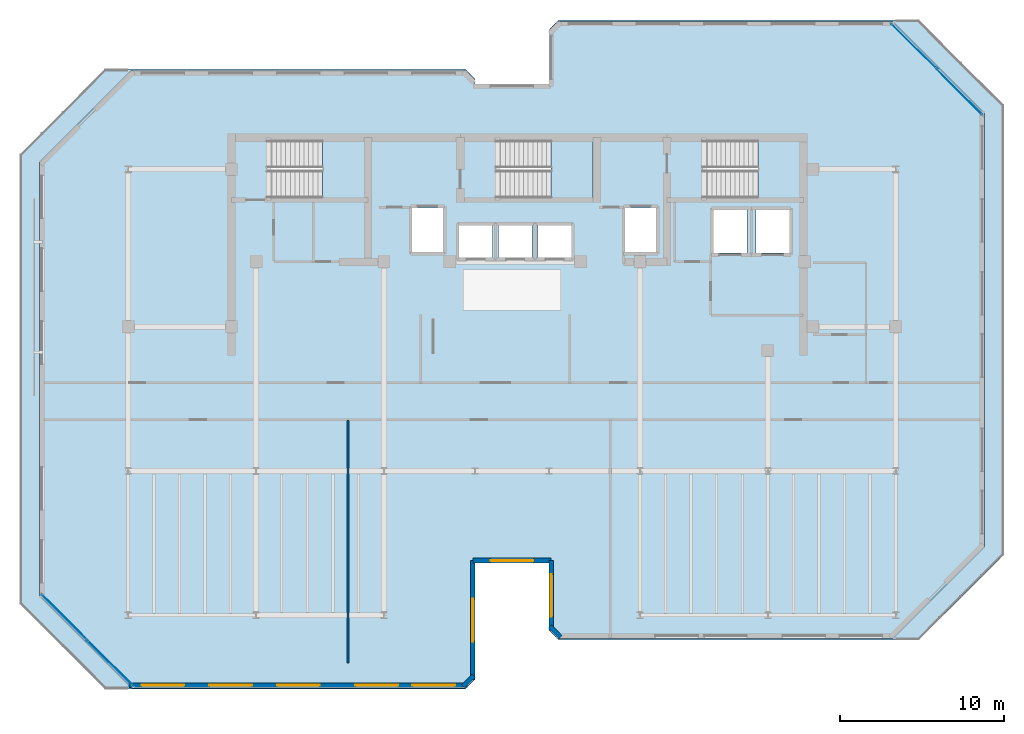
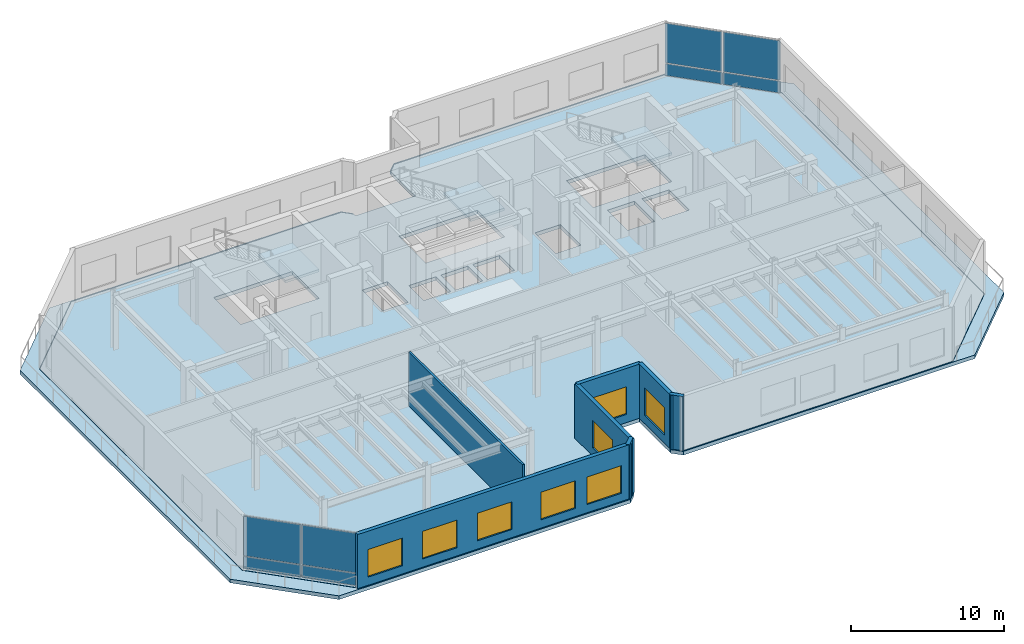
# One storey, part 5 of 12: 8 plates, 8 windows, 7 walls, 6 slabs, 8 openings, 5 elements without a shape of their own.
"""IFC4 building model written with IfcOpenShell, lengths in metres."""

from ifc_helpers import new_model, si_unit, direction, frame, frame_2d, origin, origin_2d, place, context, subcontext, project, spatial, polyline, rectangle, outline, extrude, material, layer, layer_set, type_object, element, fill, aggregate, save


model = new_model("IFC4")

# Units and contexts
model_context = context("Model", 3, precision=1e-05, world=origin(), true_north=direction((0.0, 1.0)))
body_context = subcontext(model_context, "Body", "Model", "MODEL_VIEW")
ifc_project = project(units=[si_unit("LENGTHUNIT", "METRE"), si_unit("AREAUNIT", "SQUARE_METRE"), si_unit("VOLUMEUNIT", "CUBIC_METRE"), si_unit("PLANEANGLEUNIT", "RADIAN"), si_unit("MASSUNIT", "GRAM", prefix="KILO")], contexts=[model_context])

# Site, building, storey
site_placement = place(None, origin())
site = spatial("IfcSite", under=ifc_project, at=site_placement, CompositionType="ELEMENT")
building_placement = place(site_placement, origin())
building = spatial("IfcBuilding", under=site, at=building_placement, Name="Kestravale Grand Hotel", CompositionType="ELEMENT")
storey_placement = place(building_placement, frame((0.0, 0.0, 302.0)))
storey = spatial("IfcBuildingStorey", under=building, at=storey_placement, Name="L75", CompositionType="ELEMENT", Elevation=302.0)

# Curtain wall, plates
ifc_material_1 = material(Name="Thermally broken champagne-bronze aluminium and low-E glazing", Category="aluminium")
ifc_layer_1 = layer(ifc_material_1, 0.239990234375)
ifc_layer_set_1 = layer_set([ifc_layer_1], Name="CW-OBS")
curtain_wall_type = type_object("IfcCurtainWallType", Name="CW-OBS", PredefinedType="NOTDEFINED", material=ifc_layer_set_1)
curtain_wall_1_placement = place(storey_placement, origin())
curtain_wall_1 = element("IfcCurtainWall", 1, at=curtain_wall_1_placement, inside=storey, type_object=curtain_wall_type, Name="L75 unitised curtain wall 10", PredefinedType="NOTDEFINED")
ifc_material_2 = material(Name="Insulated clear low-E double glazing IGU", Category="glass")
ifc_layer_2 = layer(ifc_material_2, 0.0400390625)
ifc_layer_set_2 = layer_set([ifc_layer_2], Name="CW-PNL-40")
plate_type = type_object("IfcPlateType", Name="CW-PNL-40", PredefinedType="CURTAIN_PANEL", material=ifc_layer_set_2)
plate_1_placement = place(storey_placement, frame((66.29296875, 43.10888671875, 0.074951171875), z_axis=(0.0, 0.0, 1.0), x_axis=(-0.707106781187, 0.707106781187, 0.0)))
plate_1 = element("IfcPlate", 2, at=plate_1_placement, type_object=plate_type, Name="CW-OBS panel 1.1", PredefinedType="CURTAIN_PANEL", context=body_context, shape_type="SweptSolid", body=[
    extrude(rectangle(XDim=3.852294921875, YDim=0.0400390625, at=origin_2d()), origin(), (0.0, 0.0, 1.0), 0.9375),
])
plate_2_placement = place(storey_placement, frame((66.29296875, 43.10888671875, 1.08740234375), z_axis=(0.0, 0.0, 1.0), x_axis=(-0.707106781187, 0.707106781187, 0.0)))
plate_2 = element("IfcPlate", 3, at=plate_2_placement, type_object=plate_type, Name="CW-OBS panel 1.2", PredefinedType="CURTAIN_PANEL", context=body_context, shape_type="SweptSolid", body=[
    extrude(rectangle(XDim=3.852294921875, YDim=0.0400390625, at=origin_2d()), origin(), (0.0, 0.0, 1.0), 3.1474609375),
])
plate_3_placement = place(storey_placement, frame((63.509033203125, 45.89306640625, 0.074951171875), z_axis=(0.0, 0.0, 1.0), x_axis=(-0.707106781187, 0.707106781187, 0.0)))
plate_3 = element("IfcPlate", 4, at=plate_3_placement, type_object=plate_type, Name="CW-OBS panel 2.1", PredefinedType="CURTAIN_PANEL", context=body_context, shape_type="SweptSolid", body=[
    extrude(rectangle(XDim=3.852294921875, YDim=0.0400390625, at=origin_2d()), origin(), (0.0, 0.0, 1.0), 0.9375),
])
plate_4_placement = place(storey_placement, frame((63.509033203125, 45.89306640625, 1.08740234375), z_axis=(0.0, 0.0, 1.0), x_axis=(-0.707106781187, 0.707106781187, 0.0)))
plate_4 = element("IfcPlate", 5, at=plate_4_placement, type_object=plate_type, Name="CW-OBS panel 2.2", PredefinedType="CURTAIN_PANEL", context=body_context, shape_type="SweptSolid", body=[
    extrude(rectangle(XDim=3.852294921875, YDim=0.0400390625, at=origin_2d()), origin(), (0.0, 0.0, 1.0), 3.1474609375),
])
aggregate(curtain_wall_1, [plate_1, plate_2, plate_3, plate_4])

curtain_wall_2_placement = place(storey_placement, origin())
curtain_wall_2 = element("IfcCurtainWall", 6, at=curtain_wall_2_placement, inside=storey, type_object=curtain_wall_type, Name="L75 unitised curtain wall 20", PredefinedType="NOTDEFINED")
plate_5_placement = place(storey_placement, frame((11.70703125, 11.091064453125, 0.074951171875), z_axis=(0.0, 0.0, 1.0), x_axis=(0.707106781187, -0.707106781187, 0.0)))
plate_5 = element("IfcPlate", 7, at=plate_5_placement, type_object=plate_type, Name="CW-OBS panel 1.1", PredefinedType="CURTAIN_PANEL", context=body_context, shape_type="SweptSolid", body=[
    extrude(rectangle(XDim=3.852294921875, YDim=0.0400390625, at=origin_2d()), origin(), (0.0, 0.0, 1.0), 0.9375),
])
plate_6_placement = place(storey_placement, frame((11.70703125, 11.091064453125, 1.08740234375), z_axis=(0.0, 0.0, 1.0), x_axis=(0.707106781187, -0.707106781187, 0.0)))
plate_6 = element("IfcPlate", 8, at=plate_6_placement, type_object=plate_type, Name="CW-OBS panel 1.2", PredefinedType="CURTAIN_PANEL", context=body_context, shape_type="SweptSolid", body=[
    extrude(rectangle(XDim=3.852294921875, YDim=0.0400390625, at=origin_2d()), origin(), (0.0, 0.0, 1.0), 3.1474609375),
])
plate_7_placement = place(storey_placement, frame((14.490966796875, 8.306884765625, 0.074951171875), z_axis=(0.0, 0.0, 1.0), x_axis=(0.707106781187, -0.707106781187, 0.0)))
plate_7 = element("IfcPlate", 9, at=plate_7_placement, type_object=plate_type, Name="CW-OBS panel 2.1", PredefinedType="CURTAIN_PANEL", context=body_context, shape_type="SweptSolid", body=[
    extrude(rectangle(XDim=3.852294921875, YDim=0.0400390625, at=origin_2d()), origin(), (0.0, 0.0, 1.0), 0.9375),
])
plate_8_placement = place(storey_placement, frame((14.490966796875, 8.306884765625, 1.08740234375), z_axis=(0.0, 0.0, 1.0), x_axis=(0.707106781187, -0.707106781187, 0.0)))
plate_8 = element("IfcPlate", 10, at=plate_8_placement, type_object=plate_type, Name="CW-OBS panel 2.2", PredefinedType="CURTAIN_PANEL", context=body_context, shape_type="SweptSolid", body=[
    extrude(rectangle(XDim=3.852294921875, YDim=0.0400390625, at=origin_2d()), origin(), (0.0, 0.0, 1.0), 3.1474609375),
])
aggregate(curtain_wall_2, [plate_5, plate_6, plate_7, plate_8])

# Slabs
ifc_material_3 = material(Name="Concrete f'c 45 MPa", Category="concrete")
ifc_layer_3 = layer(ifc_material_3, 0.2900390625)
ifc_layer_set_3 = layer_set([ifc_layer_3], Name="ES-TERR-290")
slab_type_1 = type_object("IfcSlabType", Name="ES-TERR-290", PredefinedType="ROOF", material=ifc_layer_set_3)
slab_1_placement = place(storey_placement, frame((0.0, 0.0, -0.2900390625)))
element("IfcSlab", 11, at=slab_1_placement, inside=storey, type_object=slab_type_1, Name="L75 setback terrace 1", PredefinedType="ROOF", context=body_context, shape_type="SweptSolid", body=[
    extrude(outline(polyline([(41.25, 46.89990234375), (41.85009765625, 47.5), (63.800048828125, 47.5), (69.0, 42.300048828125), (69.0, 14.89990234375), (63.800048828125, 9.699951171875), (41.85009765625, 9.699951171875), (41.25, 10.300048828125), (41.25, 10.37158203125), (41.8359375, 9.785888671875), (41.83740234375, 9.784423828125), (41.8388671875, 9.783447265625), (41.840576171875, 9.782470703125), (41.84228515625, 9.781494140625), (41.84423828125, 9.781005859375), (41.84619140625, 9.780517578125), (41.847900390625, 9.780029296875), (41.85009765625, 9.780029296875), (62.199951171875, 9.780029296875), (62.201904296875, 9.780029296875), (62.203857421875, 9.780517578125), (62.205810546875, 9.781005859375), (62.207763671875, 9.781494140625), (62.20947265625, 9.782470703125), (62.211181640625, 9.783447265625), (62.212646484375, 9.784423828125), (62.214111328125, 9.785888671875), (67.814208984375, 15.385986328125), (67.8154296875, 15.38720703125), (67.816650390625, 15.388916015625), (67.817626953125, 15.390625), (67.818603515625, 15.392333984375), (67.819091796875, 15.394287109375), (67.819580078125, 15.39599609375), (67.81982421875, 15.39794921875), (67.820068359375, 15.39990234375), (67.820068359375, 41.800048828125), (67.81982421875, 41.802001953125), (67.819580078125, 41.803955078125), (67.819091796875, 41.805908203125), (67.818603515625, 41.8076171875), (67.817626953125, 41.809326171875), (67.816650390625, 41.81103515625), (67.8154296875, 41.812744140625), (67.814208984375, 41.814208984375), (62.214111328125, 47.4140625), (62.212646484375, 47.41552734375), (62.211181640625, 47.41650390625), (62.20947265625, 47.41748046875), (62.207763671875, 47.41845703125), (62.205810546875, 47.419189453125), (62.203857421875, 47.419677734375), (62.201904296875, 47.419921875), (62.199951171875, 47.419921875), (41.85009765625, 47.419921875), (41.847900390625, 47.419921875), (41.84619140625, 47.419677734375), (41.84423828125, 47.419189453125), (41.84228515625, 47.41845703125), (41.840576171875, 47.41748046875), (41.8388671875, 47.41650390625), (41.83740234375, 47.41552734375), (41.8359375, 47.4140625), (41.25, 46.828369140625), (41.25, 46.89990234375)])), origin(), (0.0, 0.0, 1.0), 0.2900390625),
])
slab_2_placement = place(storey_placement, frame((0.0, 0.0, -0.2900390625)))
element("IfcSlab", 12, at=slab_2_placement, inside=storey, type_object=slab_type_1, Name="L75 setback terrace 2", PredefinedType="ROOF", context=body_context, shape_type="SweptSolid", body=[
    extrude(outline(polyline([(36.75, 7.300048828125), (36.14990234375, 6.699951171875), (14.199951171875, 6.699951171875), (9.0, 11.89990234375), (9.0, 39.300048828125), (14.199951171875, 44.5), (36.14990234375, 44.5), (36.75, 43.89990234375), (36.75, 43.828369140625), (36.1640625, 44.4140625), (36.16259765625, 44.41552734375), (36.1611328125, 44.41650390625), (36.159423828125, 44.41748046875), (36.15771484375, 44.41845703125), (36.15576171875, 44.419189453125), (36.15380859375, 44.419677734375), (36.152099609375, 44.419921875), (36.14990234375, 44.419921875), (15.800048828125, 44.419921875), (15.798095703125, 44.419921875), (15.796142578125, 44.419677734375), (15.794189453125, 44.419189453125), (15.792236328125, 44.41845703125), (15.79052734375, 44.41748046875), (15.788818359375, 44.41650390625), (15.787353515625, 44.41552734375), (15.785888671875, 44.4140625), (10.185791015625, 38.814208984375), (10.1845703125, 38.812744140625), (10.183349609375, 38.81103515625), (10.182373046875, 38.809326171875), (10.181396484375, 38.8076171875), (10.180908203125, 38.805908203125), (10.180419921875, 38.803955078125), (10.18017578125, 38.802001953125), (10.179931640625, 38.800048828125), (10.179931640625, 12.39990234375), (10.18017578125, 12.39794921875), (10.180419921875, 12.39599609375), (10.180908203125, 12.394287109375), (10.181396484375, 12.392333984375), (10.182373046875, 12.390625), (10.183349609375, 12.388916015625), (10.1845703125, 12.38720703125), (10.185791015625, 12.385986328125), (15.785888671875, 6.785888671875), (15.787353515625, 6.784423828125), (15.788818359375, 6.783447265625), (15.79052734375, 6.782470703125), (15.792236328125, 6.781494140625), (15.794189453125, 6.781005859375), (15.796142578125, 6.780517578125), (15.798095703125, 6.780029296875), (15.800048828125, 6.780029296875), (36.14990234375, 6.780029296875), (36.152099609375, 6.780029296875), (36.15380859375, 6.780517578125), (36.15576171875, 6.781005859375), (36.15771484375, 6.781494140625), (36.159423828125, 6.782470703125), (36.1611328125, 6.783447265625), (36.16259765625, 6.784423828125), (36.1640625, 6.785888671875), (36.75, 7.37158203125), (36.75, 7.300048828125)])), origin(), (0.0, 0.0, 1.0), 0.2900390625),
])

# Stair, slab
ifc_material_4 = material(Name="Concrete f'c 45 MPa", Category="concrete")
stair_type = type_object("IfcStairType", Name="ST-CORE-460", PredefinedType="HALF_TURN_STAIR", material=ifc_material_4)
stair_1_placement = place(storey_placement, origin())
stair_1 = element("IfcStair", 13, at=stair_1_placement, inside=storey, type_object=stair_type, Name="L75 ST-1", PredefinedType="HALF_TURN_STAIR")
ifc_material_5 = material(Name="Concrete f'c 45 MPa", Category="concrete")
ifc_layer_4 = layer(ifc_material_5, 0.199951171875)
ifc_layer_set_4 = layer_set([ifc_layer_4], Name="SLB-ST-LND200")
slab_type_2 = type_object("IfcSlabType", Name="SLB-ST-LND200", PredefinedType="LANDING", material=ifc_layer_set_4)
slab_3_placement = place(storey_placement, frame((0.0, 0.0, 2.10009765625)))
slab_3 = element("IfcSlab", 14, at=slab_3_placement, type_object=slab_type_2, Name="ST-1 landing 1", PredefinedType="LANDING", context=body_context, shape_type="SweptSolid", body=[
    extrude(outline(polyline([(27.43994140625, 36.64990234375), (30.0, 36.64990234375), (30.0, 40.159912109375), (27.43994140625, 40.159912109375), (27.43994140625, 36.64990234375)])), origin(), (0.0, 0.0, 1.0), 0.199951171875),
])
aggregate(stair_1, [slab_3])

stair_2_placement = place(storey_placement, origin())
stair_2 = element("IfcStair", 15, at=stair_2_placement, inside=storey, type_object=stair_type, Name="L75 ST-2", PredefinedType="HALF_TURN_STAIR")
slab_4_placement = place(storey_placement, frame((0.0, 0.0, 2.10009765625)))
slab_4 = element("IfcSlab", 16, at=slab_4_placement, type_object=slab_type_2, Name="ST-2 landing 1", PredefinedType="LANDING", context=body_context, shape_type="SweptSolid", body=[
    extrude(outline(polyline([(41.389892578125, 36.64990234375), (43.949951171875, 36.64990234375), (43.949951171875, 40.159912109375), (41.389892578125, 40.159912109375), (41.389892578125, 36.64990234375)])), origin(), (0.0, 0.0, 1.0), 0.199951171875),
])
aggregate(stair_2, [slab_4])

stair_3_placement = place(storey_placement, origin())
stair_3 = element("IfcStair", 17, at=stair_3_placement, inside=storey, type_object=stair_type, Name="L75 ST-3", PredefinedType="HALF_TURN_STAIR")
slab_5_placement = place(storey_placement, frame((0.0, 0.0, 2.10009765625)))
slab_5 = element("IfcSlab", 18, at=slab_5_placement, type_object=slab_type_2, Name="ST-3 landing 1", PredefinedType="LANDING", context=body_context, shape_type="SweptSolid", body=[
    extrude(outline(polyline([(53.989990234375, 36.64990234375), (56.550048828125, 36.64990234375), (56.550048828125, 40.159912109375), (53.989990234375, 40.159912109375), (53.989990234375, 36.64990234375)])), origin(), (0.0, 0.0, 1.0), 0.199951171875),
])
aggregate(stair_3, [slab_5])

# Slab
ifc_material_6 = material(Name="Concrete f'c 45 MPa", Category="concrete")
ifc_layer_5 = layer(ifc_material_6, 0.2900390625)
ifc_layer_set_5 = layer_set([ifc_layer_5], Name="SS-FLR-290")
slab_type_3 = type_object("IfcSlabType", Name="SS-FLR-290", PredefinedType="FLOOR", material=ifc_layer_set_5)
slab_6_placement = place(storey_placement, frame((0.0, 0.0, -0.2900390625)))
element("IfcSlab", 19, at=slab_6_placement, inside=storey, type_object=slab_type_3, Name="L75 structural floor slab", PredefinedType="FLOOR", context=body_context, shape_type="SweptSolid", body=[
    extrude(outline(polyline([(15.800048828125, 6.800048828125), (36.14990234375, 6.800048828125), (36.75, 7.39990234375), (36.75, 14.39990234375), (41.25, 14.39990234375), (41.25, 10.39990234375), (41.85009765625, 9.800048828125), (62.199951171875, 9.800048828125), (67.800048828125, 15.39990234375), (67.800048828125, 41.800048828125), (62.199951171875, 47.39990234375), (41.85009765625, 47.39990234375), (41.25, 46.800048828125), (41.25, 43.60009765625), (36.75, 43.60009765625), (36.75, 43.800048828125), (36.14990234375, 44.39990234375), (15.800048828125, 44.39990234375), (10.199951171875, 38.800048828125), (10.199951171875, 12.39990234375), (15.800048828125, 6.800048828125)]), holes=[polyline([(24.080078125, 36.64990234375), (30.0, 36.64990234375), (30.0, 40.159912109375), (24.080078125, 40.159912109375), (24.080078125, 36.64990234375)]), polyline([(38.030029296875, 36.64990234375), (43.949951171875, 36.64990234375), (43.949951171875, 40.159912109375), (38.030029296875, 40.159912109375), (38.030029296875, 36.64990234375)]), polyline([(50.6298828125, 36.64990234375), (56.550048828125, 36.64990234375), (56.550048828125, 40.159912109375), (50.6298828125, 40.159912109375), (50.6298828125, 36.64990234375)]), polyline([(35.780029296875, 33.030029296875), (37.820068359375, 33.030029296875), (37.820068359375, 34.969970703125), (35.780029296875, 34.969970703125), (35.780029296875, 33.030029296875)]), polyline([(38.179931640625, 33.030029296875), (40.219970703125, 33.030029296875), (40.219970703125, 34.969970703125), (38.179931640625, 34.969970703125), (38.179931640625, 33.030029296875)]), polyline([(40.580078125, 33.030029296875), (42.6201171875, 33.030029296875), (42.6201171875, 34.969970703125), (40.580078125, 34.969970703125), (40.580078125, 33.030029296875)]), polyline([(32.905029296875, 33.35498046875), (34.794921875, 33.35498046875), (34.794921875, 36.044921875), (32.905029296875, 36.044921875), (32.905029296875, 33.35498046875)]), polyline([(45.905029296875, 33.35498046875), (47.794921875, 33.35498046875), (47.794921875, 36.044921875), (45.905029296875, 36.044921875), (45.905029296875, 33.35498046875)]), polyline([(51.280029296875, 33.280029296875), (53.320068359375, 33.280029296875), (53.320068359375, 35.919921875), (51.280029296875, 35.919921875), (51.280029296875, 33.280029296875)]), polyline([(53.8798828125, 33.280029296875), (55.919921875, 33.280029296875), (55.919921875, 35.919921875), (53.8798828125, 35.919921875), (53.8798828125, 33.280029296875)])]), origin(), (0.0, 0.0, 1.0), 0.2900390625),
])

# Wall, openings, windows
ifc_material_7 = material(Name="Precast concrete f'c 45 MPa", Category="concrete")
ifc_layer_6 = layer(ifc_material_7, 0.280029296875)
ifc_layer_set_6 = layer_set([ifc_layer_6], Name="EW-PREC-280")
wall_type_1 = type_object("IfcWallType", Name="EW-PREC-280", PredefinedType="SOLIDWALL", material=ifc_layer_set_6)
wall_1_placement = place(storey_placement, frame((15.659912109375, 6.93994140625, 0.0), z_axis=(0.0, 0.0, 1.0), x_axis=(1.0, 0.0, 0.0)))
wall_1 = element("IfcWall", 20, at=wall_1_placement, inside=storey, type_object=wall_type_1, Name="L75 fluted precast facade wall 1", PredefinedType="SOLIDWALL", context=body_context, shape_type="SweptSolid", body=[
    extrude(rectangle(XDim=20.630126953125, YDim=0.280029296875, at=frame_2d((10.31494140625, 0.0))), origin(), (0.0, 0.0, 1.0), 4.31005859375),
])
opening_1_placement = place(wall_1_placement, frame((0.762939453125, 0.0, 0.64990234375)))
opening_1 = element("IfcOpeningElement", 21, at=opening_1_placement, cuts=wall_1, Name="Opening W-SKY-2600", PredefinedType="OPENING", context=body_context, shape_type="SweptSolid", body=[
    extrude(rectangle(XDim=2.60009765625, YDim=2.199951171875, at=frame_2d((1.300048828125, 1.10009765625))), frame((0.0, 0.14990234375, 0.0), z_axis=(0.0, -1.0, 0.0), x_axis=(1.0, 0.0, 0.0)), (0.0, 0.0, 1.0), 0.300048828125),
])
opening_2_placement = place(wall_1_placement, frame((4.888916015625, 0.0, 0.64990234375)))
opening_2 = element("IfcOpeningElement", 22, at=opening_2_placement, cuts=wall_1, Name="Opening W-SKY-2600", PredefinedType="OPENING", context=body_context, shape_type="SweptSolid", body=[
    extrude(rectangle(XDim=2.60009765625, YDim=2.199951171875, at=frame_2d((1.300048828125, 1.10009765625))), frame((0.0, 0.14990234375, 0.0), z_axis=(0.0, -1.0, 0.0), x_axis=(1.0, 0.0, 0.0)), (0.0, 0.0, 1.0), 0.300048828125),
])
opening_3_placement = place(wall_1_placement, frame((9.014892578125, 0.0, 0.64990234375)))
opening_3 = element("IfcOpeningElement", 23, at=opening_3_placement, cuts=wall_1, Name="Opening W-SKY-2600", PredefinedType="OPENING", context=body_context, shape_type="SweptSolid", body=[
    extrude(rectangle(XDim=2.60009765625, YDim=2.199951171875, at=frame_2d((1.300048828125, 1.10009765625))), frame((0.0, 0.14990234375, 0.0), z_axis=(0.0, -1.0, 0.0), x_axis=(1.0, 0.0, 0.0)), (0.0, 0.0, 1.0), 0.300048828125),
])
opening_4_placement = place(wall_1_placement, frame((13.791015625, 0.0, 0.64990234375)))
opening_4 = element("IfcOpeningElement", 24, at=opening_4_placement, cuts=wall_1, Name="Opening W-SKY-2600", PredefinedType="OPENING", context=body_context, shape_type="SweptSolid", body=[
    extrude(rectangle(XDim=2.60009765625, YDim=2.199951171875, at=frame_2d((1.300048828125, 1.10009765625))), frame((0.0, 0.14990234375, 0.0), z_axis=(0.0, -1.0, 0.0), x_axis=(1.0, 0.0, 0.0)), (0.0, 0.0, 1.0), 0.300048828125),
])
opening_5_placement = place(wall_1_placement, frame((17.26708984375, 0.0, 0.64990234375)))
opening_5 = element("IfcOpeningElement", 25, at=opening_5_placement, cuts=wall_1, Name="Opening W-SKY-2600", PredefinedType="OPENING", context=body_context, shape_type="SweptSolid", body=[
    extrude(rectangle(XDim=2.60009765625, YDim=2.199951171875, at=frame_2d((1.300048828125, 1.10009765625))), frame((0.0, 0.14990234375, 0.0), z_axis=(0.0, -1.0, 0.0), x_axis=(1.0, 0.0, 0.0)), (0.0, 0.0, 1.0), 0.300048828125),
])
ifc_material_8 = material(Name="Insulated low-E double glazing in aluminium frame", Category="aluminium")
window_type = type_object("IfcWindowType", Name="W-SKY-2600", PartitioningType="TRIPLE_PANEL_VERTICAL", PredefinedType="WINDOW", material=ifc_material_8)
window_1_placement = place(opening_1_placement, origin())
window_1 = element("IfcWindow", 26, at=window_1_placement, inside=storey, type_object=window_type, Name="L75 exterior window 1.1", OverallHeight=2.199951171875, OverallWidth=2.60009765625, PartitioningType="SINGLE_PANEL", PredefinedType="WINDOW", context=body_context, shape_type="SweptSolid", body=[
    extrude(rectangle(XDim=2.60009765625, YDim=2.199951171875, at=frame_2d((1.300048828125, 1.10009765625))), frame((0.0, 0.030029296875, 0.0), z_axis=(0.0, -1.0, 0.0), x_axis=(1.0, 0.0, 0.0)), (0.0, 0.0, 1.0), 0.06005859375),
])
fill(opening_1, window_1)
window_2_placement = place(opening_2_placement, origin())
window_2 = element("IfcWindow", 27, at=window_2_placement, inside=storey, type_object=window_type, Name="L75 exterior window 1.2", OverallHeight=2.199951171875, OverallWidth=2.60009765625, PartitioningType="SINGLE_PANEL", PredefinedType="WINDOW", context=body_context, shape_type="SweptSolid", body=[
    extrude(rectangle(XDim=2.60009765625, YDim=2.199951171875, at=frame_2d((1.300048828125, 1.10009765625))), frame((0.0, 0.030029296875, 0.0), z_axis=(0.0, -1.0, 0.0), x_axis=(1.0, 0.0, 0.0)), (0.0, 0.0, 1.0), 0.06005859375),
])
fill(opening_2, window_2)
window_3_placement = place(opening_3_placement, origin())
window_3 = element("IfcWindow", 28, at=window_3_placement, inside=storey, type_object=window_type, Name="L75 exterior window 1.3", OverallHeight=2.199951171875, OverallWidth=2.60009765625, PartitioningType="SINGLE_PANEL", PredefinedType="WINDOW", context=body_context, shape_type="SweptSolid", body=[
    extrude(rectangle(XDim=2.60009765625, YDim=2.199951171875, at=frame_2d((1.300048828125, 1.10009765625))), frame((0.0, 0.030029296875, 0.0), z_axis=(0.0, -1.0, 0.0), x_axis=(1.0, 0.0, 0.0)), (0.0, 0.0, 1.0), 0.06005859375),
])
fill(opening_3, window_3)
window_4_placement = place(opening_4_placement, origin())
window_4 = element("IfcWindow", 29, at=window_4_placement, inside=storey, type_object=window_type, Name="L75 exterior window 1.4", OverallHeight=2.199951171875, OverallWidth=2.60009765625, PartitioningType="SINGLE_PANEL", PredefinedType="WINDOW", context=body_context, shape_type="SweptSolid", body=[
    extrude(rectangle(XDim=2.60009765625, YDim=2.199951171875, at=frame_2d((1.300048828125, 1.10009765625))), frame((0.0, 0.030029296875, 0.0), z_axis=(0.0, -1.0, 0.0), x_axis=(1.0, 0.0, 0.0)), (0.0, 0.0, 1.0), 0.06005859375),
])
fill(opening_4, window_4)
window_5_placement = place(opening_5_placement, origin())
window_5 = element("IfcWindow", 30, at=window_5_placement, inside=storey, type_object=window_type, Name="L75 exterior window 1.5", OverallHeight=2.199951171875, OverallWidth=2.60009765625, PartitioningType="SINGLE_PANEL", PredefinedType="WINDOW", context=body_context, shape_type="SweptSolid", body=[
    extrude(rectangle(XDim=2.60009765625, YDim=2.199951171875, at=frame_2d((1.300048828125, 1.10009765625))), frame((0.0, 0.030029296875, 0.0), z_axis=(0.0, -1.0, 0.0), x_axis=(1.0, 0.0, 0.0)), (0.0, 0.0, 1.0), 0.06005859375),
])
fill(opening_5, window_5)

# Wall
wall_2_placement = place(storey_placement, frame((36.022705078125, 6.87060546875, 0.0), z_axis=(0.0, 0.0, 1.0), x_axis=(0.706975312048, 0.707238225886, 0.0)))
element("IfcWall", 31, at=wall_2_placement, inside=storey, type_object=wall_type_1, Name="L75 fluted precast facade wall 2", PredefinedType="SOLIDWALL", context=body_context, shape_type="SweptSolid", body=[
    extrude(rectangle(XDim=0.9287109375, YDim=0.280029296875, at=frame_2d((0.46435546875, 0.0))), origin(), (0.0, 0.0, 1.0), 4.31005859375),
])

# Wall, opening, window
wall_3_placement = place(storey_placement, frame((36.610107421875, 7.260009765625, 0.0), z_axis=(0.0, 0.0, 1.0), x_axis=(0.0, 1.0, 0.0)))
wall_3 = element("IfcWall", 32, at=wall_3_placement, inside=storey, type_object=wall_type_1, Name="L75 fluted precast facade wall 3", PredefinedType="SOLIDWALL", context=body_context, shape_type="SweptSolid", body=[
    extrude(rectangle(XDim=7.280029296875, YDim=0.280029296875, at=frame_2d((3.64013671875, 0.0))), origin(), (0.0, 0.0, 1.0), 4.31005859375),
])
opening_6_placement = place(wall_3_placement, frame((2.340087890625, 0.0, 0.64990234375)))
opening_6 = element("IfcOpeningElement", 33, at=opening_6_placement, cuts=wall_3, Name="Opening W-SKY-2600", PredefinedType="OPENING", context=body_context, shape_type="SweptSolid", body=[
    extrude(rectangle(XDim=2.60009765625, YDim=2.199951171875, at=frame_2d((1.300048828125, 1.10009765625))), frame((0.0, 0.14990234375, 0.0), z_axis=(0.0, -1.0, 0.0), x_axis=(1.0, 0.0, 0.0)), (0.0, 0.0, 1.0), 0.300048828125),
])
window_6_placement = place(opening_6_placement, origin())
window_6 = element("IfcWindow", 34, at=window_6_placement, inside=storey, type_object=window_type, Name="L75 exterior window 3.1", OverallHeight=2.199951171875, OverallWidth=2.60009765625, PartitioningType="SINGLE_PANEL", PredefinedType="WINDOW", context=body_context, shape_type="SweptSolid", body=[
    extrude(rectangle(XDim=2.60009765625, YDim=2.199951171875, at=frame_2d((1.300048828125, 1.10009765625))), frame((0.0, 0.030029296875, 0.0), z_axis=(0.0, -1.0, 0.0), x_axis=(1.0, 0.0, 0.0)), (0.0, 0.0, 1.0), 0.06005859375),
])
fill(opening_6, window_6)

wall_4_placement = place(storey_placement, frame((36.610107421875, 14.5400390625, 0.0), z_axis=(0.0, 0.0, 1.0), x_axis=(1.0, 0.0, 0.0)))
wall_4 = element("IfcWall", 35, at=wall_4_placement, inside=storey, type_object=wall_type_1, Name="L75 fluted precast facade wall 4", PredefinedType="SOLIDWALL", context=body_context, shape_type="SweptSolid", body=[
    extrude(rectangle(XDim=4.77978515625, YDim=0.280029296875, at=frame_2d((2.389892578125, 0.0))), origin(), (0.0, 0.0, 1.0), 4.31005859375),
])
opening_7_placement = place(wall_4_placement, frame((1.090087890625, 0.0, 0.64990234375)))
opening_7 = element("IfcOpeningElement", 36, at=opening_7_placement, cuts=wall_4, Name="Opening W-SKY-2600", PredefinedType="OPENING", context=body_context, shape_type="SweptSolid", body=[
    extrude(rectangle(XDim=2.60009765625, YDim=2.199951171875, at=frame_2d((1.300048828125, 1.10009765625))), frame((0.0, 0.14990234375, 0.0), z_axis=(0.0, -1.0, 0.0), x_axis=(1.0, 0.0, 0.0)), (0.0, 0.0, 1.0), 0.300048828125),
])
window_7_placement = place(opening_7_placement, origin())
window_7 = element("IfcWindow", 37, at=window_7_placement, inside=storey, type_object=window_type, Name="L75 exterior window 4.1", OverallHeight=2.199951171875, OverallWidth=2.60009765625, PartitioningType="SINGLE_PANEL", PredefinedType="WINDOW", context=body_context, shape_type="SweptSolid", body=[
    extrude(rectangle(XDim=2.60009765625, YDim=2.199951171875, at=frame_2d((1.300048828125, 1.10009765625))), frame((0.0, 0.030029296875, 0.0), z_axis=(0.0, -1.0, 0.0), x_axis=(1.0, 0.0, 0.0)), (0.0, 0.0, 1.0), 0.06005859375),
])
fill(opening_7, window_7)

wall_5_placement = place(storey_placement, frame((41.389892578125, 14.5400390625, 0.0), z_axis=(0.0, 0.0, 1.0), x_axis=(0.0, -1.0, 0.0)))
wall_5 = element("IfcWall", 38, at=wall_5_placement, inside=storey, type_object=wall_type_1, Name="L75 fluted precast facade wall 5", PredefinedType="SOLIDWALL", context=body_context, shape_type="SweptSolid", body=[
    extrude(rectangle(XDim=4.280029296875, YDim=0.280029296875, at=frame_2d((2.14013671875, 0.0))), origin(), (0.0, 0.0, 1.0), 4.31005859375),
])
opening_8_placement = place(wall_5_placement, frame((0.840087890625, 0.0, 0.64990234375)))
opening_8 = element("IfcOpeningElement", 39, at=opening_8_placement, cuts=wall_5, Name="Opening W-SKY-2600", PredefinedType="OPENING", context=body_context, shape_type="SweptSolid", body=[
    extrude(rectangle(XDim=2.60009765625, YDim=2.199951171875, at=frame_2d((1.300048828125, 1.10009765625))), frame((0.0, 0.14990234375, 0.0), z_axis=(0.0, -1.0, 0.0), x_axis=(1.0, 0.0, 0.0)), (0.0, 0.0, 1.0), 0.300048828125),
])
window_8_placement = place(opening_8_placement, origin())
window_8 = element("IfcWindow", 40, at=window_8_placement, inside=storey, type_object=window_type, Name="L75 exterior window 5.1", OverallHeight=2.199951171875, OverallWidth=2.60009765625, PartitioningType="SINGLE_PANEL", PredefinedType="WINDOW", context=body_context, shape_type="SweptSolid", body=[
    extrude(rectangle(XDim=2.60009765625, YDim=2.199951171875, at=frame_2d((1.300048828125, 1.10009765625))), frame((0.0, 0.030029296875, 0.0), z_axis=(0.0, -1.0, 0.0), x_axis=(1.0, 0.0, 0.0)), (0.0, 0.0, 1.0), 0.06005859375),
])
fill(opening_8, window_8)

# Walls
wall_6_placement = place(storey_placement, frame((41.32080078125, 10.52734375, 0.0), z_axis=(0.0, 0.0, 1.0), x_axis=(0.706975312048, -0.707238225886, 0.0)))
element("IfcWall", 41, at=wall_6_placement, inside=storey, type_object=wall_type_1, Name="L75 fluted precast facade wall 6", PredefinedType="SOLIDWALL", context=body_context, shape_type="SweptSolid", body=[
    extrude(rectangle(XDim=0.9287109375, YDim=0.280029296875, at=frame_2d((0.46435546875, 0.0))), origin(), (0.0, 0.0, 1.0), 4.31005859375),
])
ifc_material_9 = material(Name="Double-stud STC 52 acoustic demising partition", Category="other")
ifc_layer_7 = layer(ifc_material_9, 0.14990234375)
ifc_layer_set_7 = layer_set([ifc_layer_7], Name="IW-UNIT-150")
wall_type_2 = type_object("IfcWallType", Name="IW-UNIT-150", PredefinedType="PARTITIONING", material=ifc_layer_set_7)
wall_7_placement = place(storey_placement, frame((29.0, 8.300048828125, 0.0), z_axis=(0.0, 0.0, 1.0), x_axis=(0.0, 1.0, 0.0)))
element("IfcWall", 42, at=wall_7_placement, inside=storey, type_object=wall_type_2, Name="W-L75-SD-1", PredefinedType="PARTITIONING", context=body_context, shape_type="SweptSolid", body=[
    extrude(rectangle(XDim=14.820068359375, YDim=0.14990234375, at=frame_2d((7.41015625, 0.0))), origin(), (0.0, 0.0, 1.0), 4.31005859375),
])

save(model, "model.ifc")
